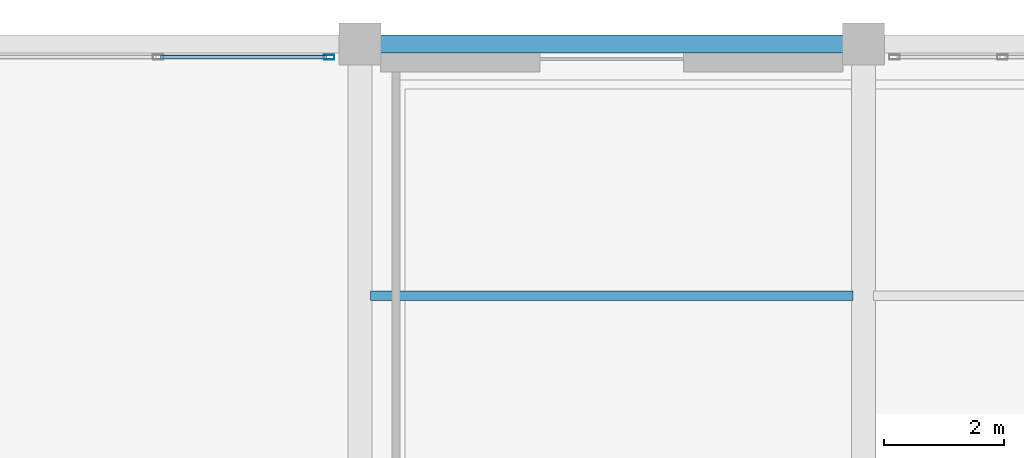
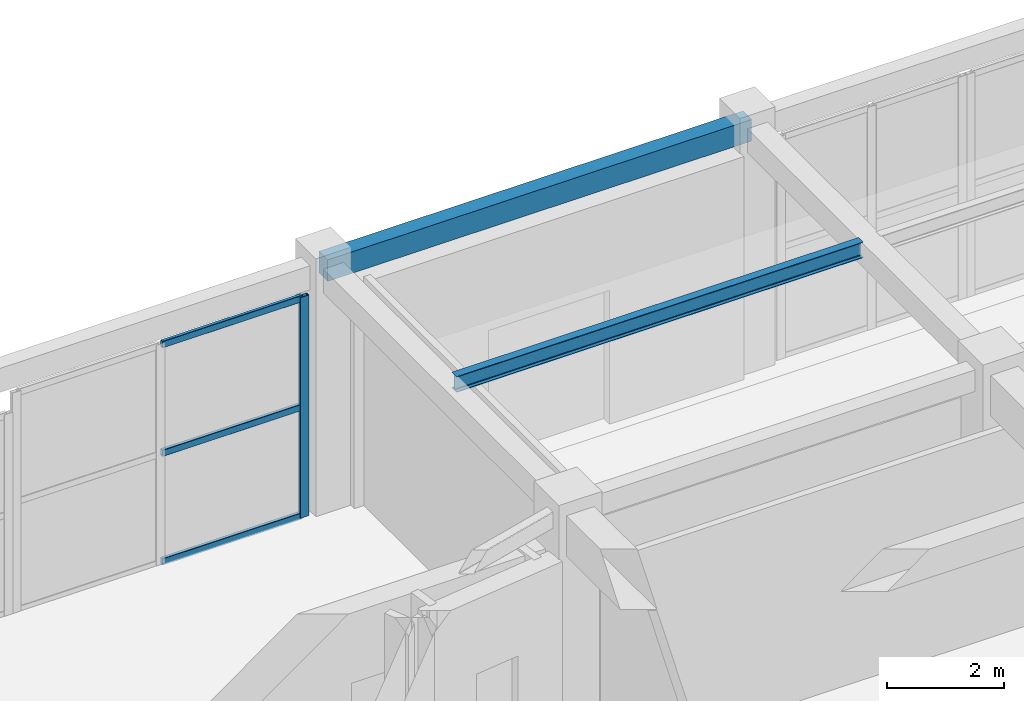
# One storey, part 36 of 98: 4 members, 2 beams, 1 element without a shape of its own.
"""IFC4 building model written with IfcOpenShell, lengths in metres."""

from ifc_helpers import new_model, si_unit, direction, frame, origin, origin_2d, place, context, subcontext, project, spatial, rectangle, hollow_rectangle, i_section, extrude, material, layer, layer_set, material_profile, profile_set, type_object, element, aggregate, save


model = new_model("IFC4")

# Units and contexts
model_context = context("Model", 3, precision=1e-05, world=origin(), true_north=direction((0.0, 1.0)))
body_context = subcontext(model_context, "Body", "Model", "MODEL_VIEW")
ifc_project = project(units=[si_unit("LENGTHUNIT", "METRE"), si_unit("AREAUNIT", "SQUARE_METRE"), si_unit("VOLUMEUNIT", "CUBIC_METRE"), si_unit("PLANEANGLEUNIT", "RADIAN"), si_unit("MASSUNIT", "GRAM", prefix="KILO")], contexts=[model_context])

# Site, building, storey
site_placement = place(None, origin())
site = spatial("IfcSite", under=ifc_project, at=site_placement, CompositionType="ELEMENT")
building_placement = place(site_placement, origin())
building = spatial("IfcBuilding", under=site, at=building_placement, Name="Tarnavel Promenade Courthouse", CompositionType="ELEMENT")
storey_placement = place(building_placement, origin())
storey = spatial("IfcBuildingStorey", under=building, at=storey_placement, Name="L01", CompositionType="ELEMENT", Elevation=0.0)

# Beams
ifc_material_1 = material(Name="Concrete C40/50", Category="concrete")
ifc_material_profile_1 = material_profile(ifc_material_1, rectangle(XDim=0.300048828125, YDim=0.449951171875, at=origin_2d()), Name="RC 300x450")
ifc_profile_set_1 = profile_set([ifc_material_profile_1], Name="Concrete C40/50")
beam_type_1 = type_object("IfcBeamType", Name="Concrete C40/50 BM-SP-300x450 (RC 300x450)", PredefinedType="SPANDREL", material=ifc_profile_set_1)
beam_1_placement = place(storey_placement, frame((58.800048828125, 112.800048828125, 4.909912109375), z_axis=(1.0, 0.0, 0.0), x_axis=(0.0, 1.0, 0.0)))
element("IfcBeam", 1, at=beam_1_placement, inside=storey, type_object=beam_type_1, Name="L01 Primary Longitudinal Beam 0726", PredefinedType="SPANDREL", context=body_context, shape_type="SweptSolid", body=[
    extrude(rectangle(XDim=0.300048828125, YDim=0.449951171875, at=origin_2d()), origin(), (0.0, 0.0, 1.0), 8.39990234375),
])
ifc_material_2 = material(Name="Steel S355J2", Category="steel")
ifc_material_profile_2 = material_profile(ifc_material_2, i_section(OverallWidth=0.159912109375, OverallDepth=0.330078125, WebThickness=0.007568359375, FlangeThickness=0.011474609375, FilletRadius=0.01806640625, at=origin_2d()), Name="IPE 330")
ifc_profile_set_2 = profile_set([ifc_material_profile_2], Name="Steel S355J2")
beam_type_2 = type_object("IfcBeamType", Name="Steel S355J2 BM-ST-IPE330 (IPE 330)", PredefinedType="JOIST", material=ifc_profile_set_2)
beam_2_placement = place(storey_placement, frame((58.969970703125, 108.60009765625, 4.969970703125), z_axis=(1.0, 0.0, 0.0), x_axis=(0.0, 1.0, 0.0)))
element("IfcBeam", 2, at=beam_2_placement, inside=storey, type_object=beam_type_2, Name="L01 Secondary Floor Rib 1009", PredefinedType="JOIST", context=body_context, shape_type="SweptSolid", body=[
    extrude(i_section(OverallWidth=0.159912109375, OverallDepth=0.330078125, WebThickness=0.007568359375, FlangeThickness=0.011474609375, FilletRadius=0.01806640625, at=origin_2d()), origin(), (0.0, 0.0, 1.0), 8.06005859375),
])

# Curtain wall, members
ifc_material_3 = material(Name="Thermally Broken Anodised Aluminium Curtain Wall System", Category="aluminium")
ifc_layer = layer(ifc_material_3, 0.199951171875)
ifc_layer_set = layer_set([ifc_layer], Name="Thermally Broken Anodised Aluminium Curtain Wall System")
curtain_wall_type = type_object("IfcCurtainWallType", Name="Thermally Broken Aluminium Triple-Glazed Curtain Wall CW-FOYER", PredefinedType="NOTDEFINED", material=ifc_layer_set)
curtain_wall_placement = place(storey_placement, origin())
curtain_wall = element("IfcCurtainWall", 3, at=curtain_wall_placement, inside=storey, type_object=curtain_wall_type, Name="L01 North Foyer Curtain Wall B 121", PredefinedType="NOTDEFINED")
ifc_material_4 = material(Name="Thermally Broken Anodised Aluminium Frame", Category="aluminium")
ifc_material_profile_3 = material_profile(ifc_material_4, hollow_rectangle(XDim=0.080078125, YDim=0.179931640625, WallThickness=0.0048828125, InnerFilletRadius=0.0048828125, OuterFilletRadius=0.010009765625, at=origin_2d()), Name="CWM 180x80x5")
ifc_profile_set_3 = profile_set([ifc_material_profile_3], Name="Thermally Broken Anodised Aluminium Frame")
member_type_1 = type_object("IfcMemberType", Name="Thermally Broken Anodised Aluminium CWM-155 (CWM 180x80x5)", PredefinedType="MULLION", material=ifc_profile_set_3)
member_1_placement = place(storey_placement, frame((58.280029296875, 112.580078125, 0.0), z_axis=(0.0, 0.0, 1.0), x_axis=(0.0, 1.0, 0.0)))
member_1 = element("IfcMember", 4, at=member_1_placement, type_object=member_type_1, Name="CW-04 mullion 3", PredefinedType="MULLION", context=body_context, shape_type="SweptSolid", body=[
    extrude(hollow_rectangle(XDim=0.080078125, YDim=0.179931640625, WallThickness=0.0048828125, InnerFilletRadius=0.0048828125, OuterFilletRadius=0.010009765625, at=origin_2d()), origin(), (0.0, 0.0, 1.0), 4.6201171875),
])
ifc_material_profile_4 = material_profile(ifc_material_4, hollow_rectangle(XDim=0.070068359375, YDim=0.139892578125, WallThickness=0.0048828125, InnerFilletRadius=0.0048828125, OuterFilletRadius=0.010009765625, at=origin_2d()), Name="CWT 140x70x5")
ifc_profile_set_4 = profile_set([ifc_material_profile_4], Name="Thermally Broken Anodised Aluminium Frame")
member_type_2 = type_object("IfcMemberType", Name="Thermally Broken Anodised Aluminium CWT-125 (CWT 140x70x5)", PredefinedType="USERDEFINED", material=ifc_profile_set_4)
member_2_placement = place(storey_placement, frame((55.469970703125, 112.580078125, 0.034912109375), z_axis=(1.0, 0.0, 0.0), x_axis=(0.0, 1.0, 0.0)))
member_2 = element("IfcMember", 5, at=member_2_placement, type_object=member_type_2, Name="CW-04 transom 2.1", ObjectType="TRANSOM", PredefinedType="USERDEFINED", context=body_context, shape_type="SweptSolid", body=[
    extrude(hollow_rectangle(XDim=0.070068359375, YDim=0.139892578125, WallThickness=0.0048828125, InnerFilletRadius=0.0048828125, OuterFilletRadius=0.010009765625, at=origin_2d()), origin(), (0.0, 0.0, 1.0), 2.77001953125),
])
member_3_placement = place(storey_placement, frame((55.469970703125, 112.580078125, 2.31005859375), z_axis=(1.0, 0.0, 0.0), x_axis=(0.0, 1.0, 0.0)))
member_3 = element("IfcMember", 6, at=member_3_placement, type_object=member_type_2, Name="CW-04 transom 2.2", ObjectType="TRANSOM", PredefinedType="USERDEFINED", context=body_context, shape_type="SweptSolid", body=[
    extrude(hollow_rectangle(XDim=0.070068359375, YDim=0.139892578125, WallThickness=0.0048828125, InnerFilletRadius=0.0048828125, OuterFilletRadius=0.010009765625, at=origin_2d()), origin(), (0.0, 0.0, 1.0), 2.77001953125),
])
member_4_placement = place(storey_placement, frame((55.469970703125, 112.580078125, 4.5849609375), z_axis=(1.0, 0.0, 0.0), x_axis=(0.0, 1.0, 0.0)))
member_4 = element("IfcMember", 7, at=member_4_placement, type_object=member_type_2, Name="CW-04 transom 2.3", ObjectType="TRANSOM", PredefinedType="USERDEFINED", context=body_context, shape_type="SweptSolid", body=[
    extrude(hollow_rectangle(XDim=0.070068359375, YDim=0.139892578125, WallThickness=0.0048828125, InnerFilletRadius=0.0048828125, OuterFilletRadius=0.010009765625, at=origin_2d()), origin(), (0.0, 0.0, 1.0), 2.77001953125),
])
aggregate(curtain_wall, [member_1, member_2, member_3, member_4])

save(model, "model.ifc")
